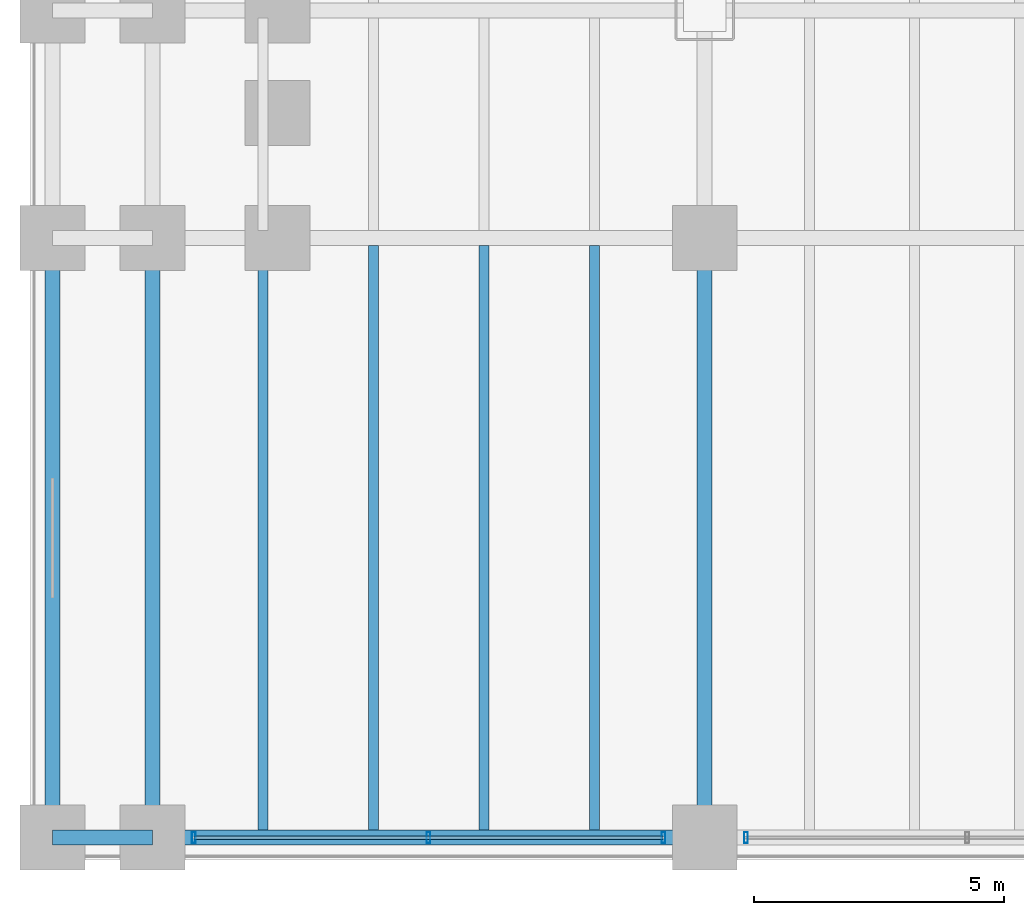
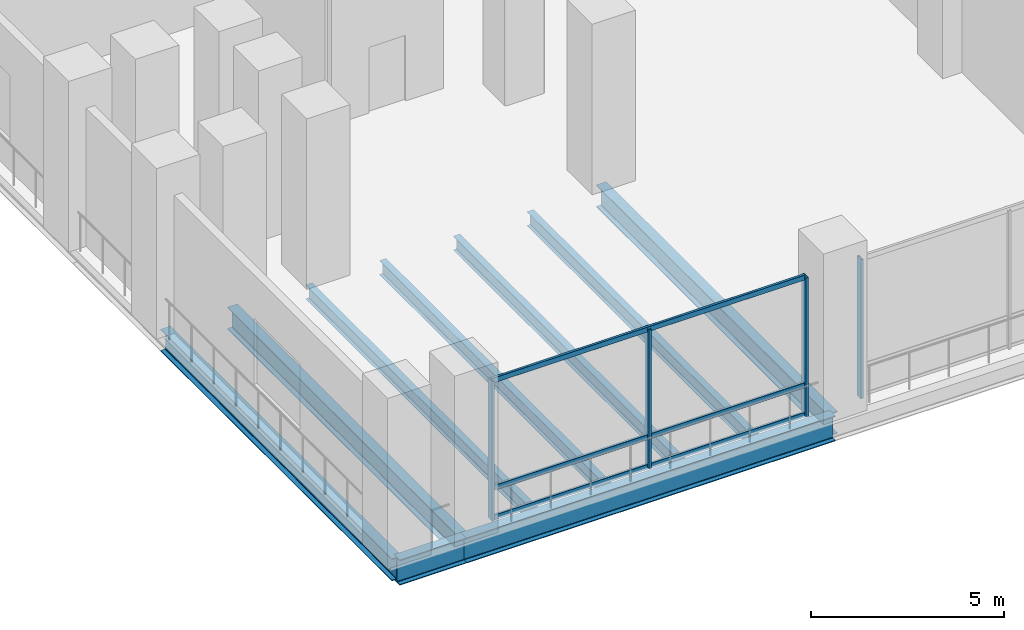
# One storey, part 4 of 31: 9 beams, 7 members, 2 elements without a shape of their own.
"""IFC4 building model written with IfcOpenShell, lengths in metres."""

from ifc_helpers import new_model, si_unit, direction, frame, origin, origin_2d, place, context, subcontext, project, spatial, hollow_rectangle, i_section, extrude, material, material_profile, profile_set, type_object, element, aggregate, save


model = new_model("IFC4")

# Units and contexts
model_context = context("Model", 3, precision=1e-05, world=origin(), true_north=direction((0.0, 1.0)))
body_context = subcontext(model_context, "Body", "Model", "MODEL_VIEW")
ifc_project = project(units=[si_unit("LENGTHUNIT", "METRE"), si_unit("AREAUNIT", "SQUARE_METRE"), si_unit("VOLUMEUNIT", "CUBIC_METRE"), si_unit("PLANEANGLEUNIT", "RADIAN"), si_unit("MASSUNIT", "GRAM", prefix="KILO")], contexts=[model_context])

# Site, building, storey
site_placement = place(None, origin())
site = spatial("IfcSite", under=ifc_project, at=site_placement, CompositionType="ELEMENT")
building_placement = place(site_placement, origin())
building = spatial("IfcBuilding", under=site, at=building_placement, Name="Noeulbin Bourse Tower", CompositionType="ELEMENT")
storey_placement = place(building_placement, frame((0.0, 0.0, 11.199951171875)))
storey = spatial("IfcBuildingStorey", under=building, at=storey_placement, Name="L03", CompositionType="ELEMENT", Elevation=11.199951171875)

# Beams
ifc_material_1 = material(Name="Steel S355", Category="steel")
ifc_material_profile_1 = material_profile(ifc_material_1, i_section(OverallWidth=0.300048828125, OverallDepth=0.699951171875, WebThickness=0.012939453125, FlangeThickness=0.02392578125, FilletRadius=0.02392578125, at=origin_2d()), Name="H-700x300x13x24", Category="LoadBearing")
ifc_profile_set_1 = profile_set([ifc_material_profile_1], Name="Steel S355")
beam_type_1 = type_object("IfcBeamType", Name="BM-GRD-700", PredefinedType="USERDEFINED", material=ifc_profile_set_1)
for number, where, z_axis, x_axis, name in (
    (1, (0.449951171875, 3.449951171875, -0.599853515625), (0.0, 1.0, 0.0), (-1.0, 0.0, 0.0), "Podium Primary Girder NS L03-057"),
    (2, (2.449951171875, 3.449951171875, -0.599853515625), (0.0, 1.0, 0.0), (-1.0, 0.0, 0.0), "Podium Primary Girder NS L03-063"),
    (3, (13.5, 3.449951171875, -0.599853515625), (0.0, 1.0, 0.0), (-1.0, 0.0, 0.0), "Podium Primary Girder NS L03-069"),
):
    element("IfcBeam", number, at=place(storey_placement, frame(where, z_axis=z_axis, x_axis=x_axis)), inside=storey, type_object=beam_type_1, Name=name, ObjectType="GIRDER", PredefinedType="USERDEFINED", context=body_context, shape_type="SweptSolid", body=[
        extrude(i_section(OverallWidth=0.300048828125, OverallDepth=0.699951171875, WebThickness=0.012939453125, FlangeThickness=0.02392578125, FilletRadius=0.02392578125, at=origin_2d()), origin(), (0.0, 0.0, 1.0), 12.0),
    ])
ifc_material_profile_2 = material_profile(ifc_material_1, i_section(OverallWidth=0.300048828125, OverallDepth=0.800048828125, WebThickness=0.013916015625, FlangeThickness=0.02587890625, FilletRadius=0.02587890625, at=origin_2d()), Name="H-800x300x14x26", Category="LoadBearing")
ifc_profile_set_2 = profile_set([ifc_material_profile_2], Name="Steel S355")
beam_type_2 = type_object("IfcBeamType", Name="BM-GRD-800", PredefinedType="USERDEFINED", material=ifc_profile_set_2)
beam_1_placement = place(storey_placement, frame((0.449951171875, 3.449951171875, -0.64990234375), z_axis=(1.0, 0.0, 0.0), x_axis=(0.0, 1.0, 0.0)))
element("IfcBeam", 4, at=beam_1_placement, inside=storey, type_object=beam_type_2, Name="Podium Primary Girder EW L03-001", ObjectType="GIRDER", PredefinedType="USERDEFINED", context=body_context, shape_type="SweptSolid", body=[
    extrude(i_section(OverallWidth=0.300048828125, OverallDepth=0.800048828125, WebThickness=0.013916015625, FlangeThickness=0.02587890625, FilletRadius=0.02587890625, at=origin_2d()), origin(), (0.0, 0.0, 1.0), 2.0),
])
beam_2_placement = place(storey_placement, frame((2.449951171875, 3.449951171875, -0.64990234375), z_axis=(1.0, 0.0, 0.0), x_axis=(0.0, 1.0, 0.0)))
element("IfcBeam", 5, at=beam_2_placement, inside=storey, type_object=beam_type_2, Name="Podium Primary Girder EW L03-002", ObjectType="GIRDER", PredefinedType="USERDEFINED", context=body_context, shape_type="SweptSolid", body=[
    extrude(i_section(OverallWidth=0.300048828125, OverallDepth=0.800048828125, WebThickness=0.013916015625, FlangeThickness=0.02587890625, FilletRadius=0.02587890625, at=origin_2d()), origin(), (0.0, 0.0, 1.0), 11.050048828125),
])
ifc_material_profile_3 = material_profile(ifc_material_1, i_section(OverallWidth=0.199951171875, OverallDepth=0.449951171875, WebThickness=0.009033203125, FlangeThickness=0.013916015625, FilletRadius=0.01806640625, at=origin_2d()), Name="H-450x200x9x14", Category="LoadBearing")
ifc_profile_set_3 = profile_set([ifc_material_profile_3], Name="Steel S355")
beam_type_3 = type_object("IfcBeamType", Name="BM-SEC-450", PredefinedType="BEAM", material=ifc_profile_set_3)
for number, where, z_axis, x_axis, name in (
    (6, (4.659912109375, 3.60009765625, -0.474853515625), (0.0, 1.0, 0.0), (-1.0, 0.0, 0.0), "Podium Secondary Beam L03-001"),
    (7, (6.8701171875, 3.60009765625, -0.474853515625), (0.0, 1.0, 0.0), (-1.0, 0.0, 0.0), "Podium Secondary Beam L03-007"),
    (8, (9.080078125, 3.60009765625, -0.474853515625), (0.0, 1.0, 0.0), (-1.0, 0.0, 0.0), "Podium Secondary Beam L03-013"),
    (9, (11.2900390625, 3.60009765625, -0.474853515625), (0.0, 1.0, 0.0), (-1.0, 0.0, 0.0), "Podium Secondary Beam L03-018"),
):
    element("IfcBeam", number, at=place(storey_placement, frame(where, z_axis=z_axis, x_axis=x_axis)), inside=storey, type_object=beam_type_3, Name=name, PredefinedType="BEAM", context=body_context, shape_type="SweptSolid", body=[
        extrude(i_section(OverallWidth=0.199951171875, OverallDepth=0.449951171875, WebThickness=0.009033203125, FlangeThickness=0.013916015625, FilletRadius=0.01806640625, at=origin_2d()), origin(), (0.0, 0.0, 1.0), 11.699951171875),
    ])

# Curtain wall, members
ifc_material_2 = material(Name="Laminated Clear Low-E Glass", Category="glass")
curtain_wall_type = type_object("IfcCurtainWallType", Name="CW-SYS-1", PredefinedType="NOTDEFINED", material=ifc_material_2)
curtain_wall_1_placement = place(storey_placement, origin())
curtain_wall_1 = element("IfcCurtainWall", 10, at=curtain_wall_1_placement, inside=storey, type_object=curtain_wall_type, Name="Unitised Curtain Wall CW-L03-POD-S-S1", PredefinedType="NOTDEFINED")
ifc_material_3 = material(Name="Anodised Aluminium 6063-T6", Category="aluminium")
ifc_material_profile_4 = material_profile(ifc_material_3, hollow_rectangle(XDim=0.074951171875, YDim=0.219970703125, WallThickness=0.0048828125, InnerFilletRadius=0.00244140625, OuterFilletRadius=0.0048828125, at=origin_2d()), Name="ALU-MULL-75x220x5", Category="LoadBearing")
ifc_profile_set_4 = profile_set([ifc_material_profile_4], Name="Anodised Aluminium 6063-T6")
member_type_1 = type_object("IfcMemberType", Name="CW-SYS-1-MUL", PredefinedType="MULLION", material=ifc_profile_set_4)
member_1_placement = place(storey_placement, frame((3.27490234375, 3.449951171875, -0.02001953125), z_axis=(0.0, 0.0, 1.0), x_axis=(1.0, 0.0, 0.0)))
member_1 = element("IfcMember", 11, at=member_1_placement, type_object=member_type_1, Name="Curtain Wall Mullion CW-L03-POD-S-S1-M00", PredefinedType="MULLION", context=body_context, shape_type="SweptSolid", body=[
    extrude(hollow_rectangle(XDim=0.074951171875, YDim=0.219970703125, WallThickness=0.0048828125, InnerFilletRadius=0.00244140625, OuterFilletRadius=0.0048828125, at=origin_2d()), origin(), (0.0, 0.0, 1.0), 4.41015625),
])
member_2_placement = place(storey_placement, frame((7.97509765625, 3.449951171875, -0.02001953125), z_axis=(0.0, 0.0, 1.0), x_axis=(1.0, 0.0, 0.0)))
member_2 = element("IfcMember", 12, at=member_2_placement, type_object=member_type_1, Name="Curtain Wall Mullion CW-L03-POD-S-S1-M01", PredefinedType="MULLION", context=body_context, shape_type="SweptSolid", body=[
    extrude(hollow_rectangle(XDim=0.074951171875, YDim=0.219970703125, WallThickness=0.0048828125, InnerFilletRadius=0.00244140625, OuterFilletRadius=0.0048828125, at=origin_2d()), origin(), (0.0, 0.0, 1.0), 4.41015625),
])
member_3_placement = place(storey_placement, frame((12.675048828125, 3.449951171875, -0.02001953125), z_axis=(0.0, 0.0, 1.0), x_axis=(1.0, 0.0, 0.0)))
member_3 = element("IfcMember", 13, at=member_3_placement, type_object=member_type_1, Name="Curtain Wall Mullion CW-L03-POD-S-S1-M02", PredefinedType="MULLION", context=body_context, shape_type="SweptSolid", body=[
    extrude(hollow_rectangle(XDim=0.074951171875, YDim=0.219970703125, WallThickness=0.0048828125, InnerFilletRadius=0.00244140625, OuterFilletRadius=0.0048828125, at=origin_2d()), origin(), (0.0, 0.0, 1.0), 4.41015625),
])

# Curtain wall, member
curtain_wall_2_placement = place(storey_placement, origin())
curtain_wall_2 = element("IfcCurtainWall", 14, at=curtain_wall_2_placement, inside=storey, type_object=curtain_wall_type, Name="Unitised Curtain Wall CW-L03-POD-S-S2", PredefinedType="NOTDEFINED")
member_4_placement = place(storey_placement, frame((14.324951171875, 3.449951171875, -0.02001953125), z_axis=(0.0, 0.0, 1.0), x_axis=(1.0, 0.0, 0.0)))
member_4 = element("IfcMember", 15, at=member_4_placement, type_object=member_type_1, Name="Curtain Wall Mullion CW-L03-POD-S-S2-M00", PredefinedType="MULLION", context=body_context, shape_type="SweptSolid", body=[
    extrude(hollow_rectangle(XDim=0.074951171875, YDim=0.219970703125, WallThickness=0.0048828125, InnerFilletRadius=0.00244140625, OuterFilletRadius=0.0048828125, at=origin_2d()), origin(), (0.0, 0.0, 1.0), 4.41015625),
])
aggregate(curtain_wall_2, [member_4])

# Member
ifc_material_profile_5 = material_profile(ifc_material_3, hollow_rectangle(XDim=0.074951171875, YDim=0.159912109375, WallThickness=0.0048828125, InnerFilletRadius=0.00244140625, OuterFilletRadius=0.0048828125, at=origin_2d()), Name="ALU-TRAN-75x160x5", Category="LoadBearing")
ifc_profile_set_5 = profile_set([ifc_material_profile_5], Name="Anodised Aluminium 6063-T6")
member_type_2 = type_object("IfcMemberType", Name="CW-SYS-1-TRN", PredefinedType="USERDEFINED", material=ifc_profile_set_5)
member_5_placement = place(storey_placement, frame((3.284912109375, 3.449951171875, 0.010009765625), z_axis=(1.0, 0.0, 0.0), x_axis=(0.0, 1.0, 0.0)))
member_5 = element("IfcMember", 16, at=member_5_placement, type_object=member_type_2, Name="Curtain Wall Transom CW-L03-POD-S-S1-T00", ObjectType="TRANSOM", PredefinedType="USERDEFINED", context=body_context, shape_type="SweptSolid", body=[
    extrude(hollow_rectangle(XDim=0.074951171875, YDim=0.159912109375, WallThickness=0.0048828125, InnerFilletRadius=0.00244140625, OuterFilletRadius=0.0048828125, at=origin_2d()), origin(), (0.0, 0.0, 1.0), 9.380126953125),
])

member_6_placement = place(storey_placement, frame((3.284912109375, 3.449951171875, 0.949951171875), z_axis=(1.0, 0.0, 0.0), x_axis=(0.0, 1.0, 0.0)))
member_6 = element("IfcMember", 17, at=member_6_placement, type_object=member_type_2, Name="Curtain Wall Transom CW-L03-POD-S-S1-T01", ObjectType="TRANSOM", PredefinedType="USERDEFINED", context=body_context, shape_type="SweptSolid", body=[
    extrude(hollow_rectangle(XDim=0.074951171875, YDim=0.159912109375, WallThickness=0.0048828125, InnerFilletRadius=0.00244140625, OuterFilletRadius=0.0048828125, at=origin_2d()), origin(), (0.0, 0.0, 1.0), 9.380126953125),
])

member_7_placement = place(storey_placement, frame((3.284912109375, 3.449951171875, 4.360107421875), z_axis=(1.0, 0.0, 0.0), x_axis=(0.0, 1.0, 0.0)))
member_7 = element("IfcMember", 18, at=member_7_placement, type_object=member_type_2, Name="Curtain Wall Transom CW-L03-POD-S-S1-T02", ObjectType="TRANSOM", PredefinedType="USERDEFINED", context=body_context, shape_type="SweptSolid", body=[
    extrude(hollow_rectangle(XDim=0.074951171875, YDim=0.159912109375, WallThickness=0.0048828125, InnerFilletRadius=0.00244140625, OuterFilletRadius=0.0048828125, at=origin_2d()), origin(), (0.0, 0.0, 1.0), 9.380126953125),
])

aggregate(curtain_wall_1, [member_1, member_2, member_3, member_5, member_6, member_7])

save(model, "model.ifc")
